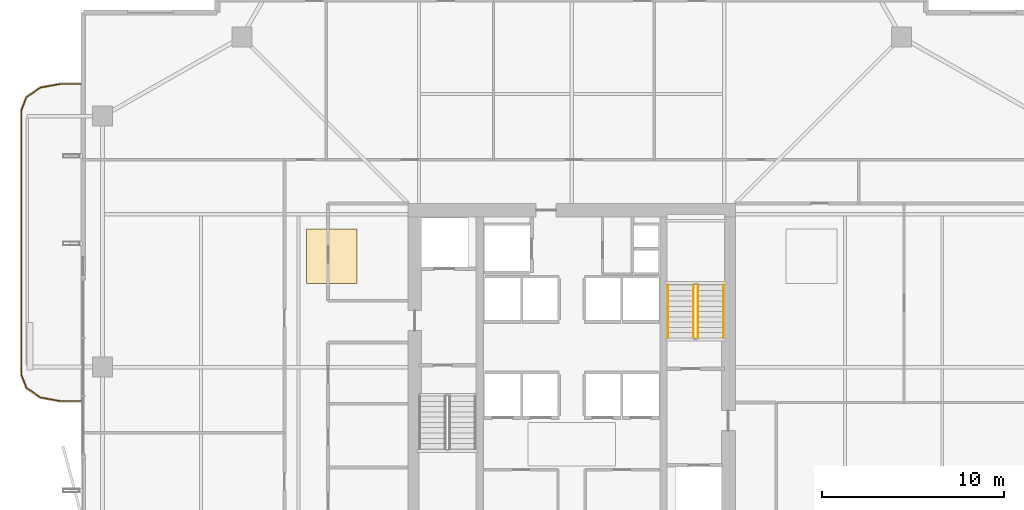
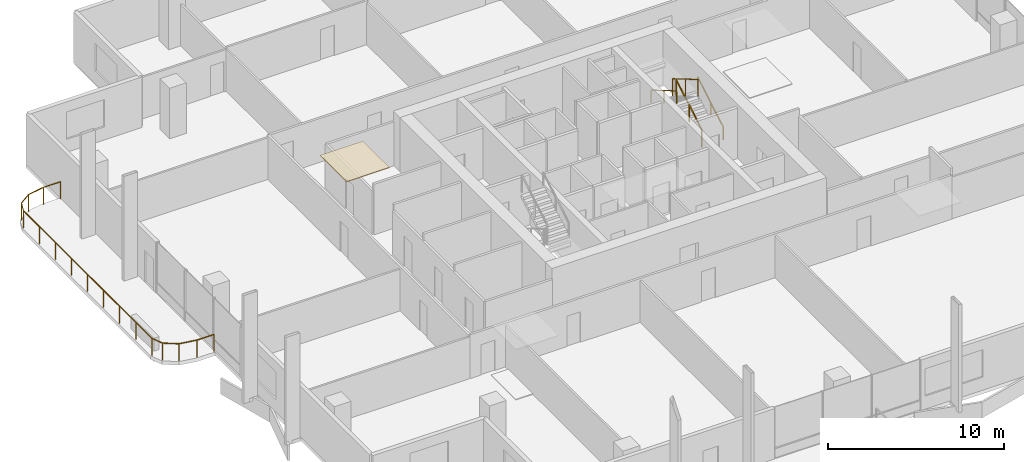
# One storey, part 23 of 24: 5 railings, 1 covering.
"""IFC4 building model written with IfcOpenShell, lengths in metres."""

from ifc_helpers import new_model, si_unit, direction, frame, origin, origin_2d, place, context, subcontext, project, spatial, polyline, rectangle, outline, extrude, material, layer, layer_set, type_object, element, save


model = new_model("IFC4")

# Units and contexts
model_context = context("Model", 3, precision=1e-05, world=origin(), true_north=direction((0.0, 1.0)))
body_context = subcontext(model_context, "Body", "Model", "MODEL_VIEW")
ifc_project = project(units=[si_unit("LENGTHUNIT", "METRE"), si_unit("AREAUNIT", "SQUARE_METRE"), si_unit("VOLUMEUNIT", "CUBIC_METRE"), si_unit("PLANEANGLEUNIT", "RADIAN"), si_unit("MASSUNIT", "GRAM", prefix="KILO")], contexts=[model_context])

# Site, building, storey
site_placement = place(None, origin())
site = spatial("IfcSite", under=ifc_project, at=site_placement, CompositionType="ELEMENT")
building_placement = place(site_placement, origin())
building = spatial("IfcBuilding", under=site, at=building_placement, Name="Belovzor Exchange Tower", CompositionType="ELEMENT")
storey_placement = place(building_placement, frame((0.0, 0.0, 218.699951171875)))
storey = spatial("IfcBuildingStorey", under=building, at=storey_placement, Name="L54", CompositionType="ELEMENT", Elevation=218.699951171875)

# Railings
ifc_material_1 = material(Name="Stainless Steel Grade 304", Category="steel")
railing_type_1 = type_object("IfcRailingType", Name="Brushed Stainless Steel Stair Handrail 900", PredefinedType="HANDRAIL", material=ifc_material_1)
railing_1_placement = place(storey_placement, frame((37.14990234375, 30.39990234375, 0.17041015625)))
element("IfcRailing", 1, at=railing_1_placement, inside=storey, type_object=railing_type_1, Name="L54 ST-2 stair handrail 1", PredefinedType="HANDRAIL", context=body_context, shape_type="SweptSolid", body=[
    extrude(rectangle(XDim=0.048095703125, YDim=0.048095703125, at=origin_2d()), frame((0.0, 0.0, 0.8759765625), z_axis=(0.0, 0.862113265706, 0.506715617574), x_axis=(-1.0, 0.0, 0.0)), (0.0, 0.0, 1.0), 3.364013671875),
    extrude(rectangle(XDim=0.0419921875, YDim=0.0419921875, at=origin_2d()), origin(), (0.0, 0.0, 1.0), 0.851806640625),
    extrude(rectangle(XDim=0.0419921875, YDim=0.0419921875, at=origin_2d()), frame((0.0, 1.4501953125, 0.852294921875)), (0.0, 0.0, 1.0), 0.851806640625),
    extrude(rectangle(XDim=0.0419921875, YDim=0.0419921875, at=origin_2d()), frame((0.0, 2.900146484375, 1.70458984375)), (0.0, 0.0, 1.0), 0.851806640625),
])
railing_2_placement = place(storey_placement, frame((34.10009765625, 33.300048828125, 2.04541015625)))
element("IfcRailing", 2, at=railing_2_placement, inside=storey, type_object=railing_type_1, Name="L54 ST-2 stair handrail 2", PredefinedType="HANDRAIL", context=body_context, shape_type="SweptSolid", body=[
    extrude(rectangle(XDim=0.048095703125, YDim=0.048095703125, at=origin_2d()), frame((0.0, 0.0, 0.8759765625), z_axis=(0.0, -0.862113265706, 0.506715617574), x_axis=(1.0, 0.0, 0.0)), (0.0, 0.0, 1.0), 3.364013671875),
    extrude(rectangle(XDim=0.0419921875, YDim=0.0419921875, at=origin_2d()), origin(), (0.0, 0.0, 1.0), 0.851806640625),
    extrude(rectangle(XDim=0.0419921875, YDim=0.0419921875, at=origin_2d()), frame((0.0, -1.4501953125, 0.852294921875)), (0.0, 0.0, 1.0), 0.851806640625),
    extrude(rectangle(XDim=0.0419921875, YDim=0.0419921875, at=origin_2d()), frame((0.0, -2.900146484375, 1.70458984375)), (0.0, 0.0, 1.0), 0.851806640625),
])
ifc_material_2 = material(Name="Stainless Steel and Laminated Safety Glass", Category="steel")
railing_type_2 = type_object("IfcRailingType", Name="Laminated Glass & Stainless Steel Balcony Balustrade 1200", PredefinedType="BALUSTRADE", material=ifc_material_2)
railing_3_placement = place(storey_placement, frame((1.7900390625, 44.3701171875, 0.0)))
element("IfcRailing", 3, at=railing_3_placement, inside=storey, type_object=railing_type_2, Name="GR-1 Balcony Balustrade L54 West", PredefinedType="BALUSTRADE", context=body_context, shape_type="SweptSolid", body=[
    extrude(rectangle(XDim=0.048095703125, YDim=0.048095703125, at=origin_2d()), frame((0.0, 0.0, 1.17578125), z_axis=(-1.0, 0.0, 0.0), x_axis=(0.0, -1.0, 0.0)), (0.0, 0.0, 1.0), 1.133056640625),
    extrude(rectangle(XDim=0.048095703125, YDim=0.048095703125, at=origin_2d()), frame((-1.133056640625, 0.0, 1.17578125), z_axis=(-0.983644145941, -0.180122719713, 0.0), x_axis=(0.180122719713, -0.983644145941, 0.0)), (0.0, 0.0, 1.0), 1.09375),
    extrude(rectangle(XDim=0.048095703125, YDim=0.048095703125, at=origin_2d()), frame((-2.208984375, -0.197021484375, 1.17578125), z_axis=(-0.826493025367, -0.56294695933, 0.0), x_axis=(0.56294695933, -0.826493025367, 0.0)), (0.0, 0.0, 1.0), 0.932861328125),
    extrude(rectangle(XDim=0.048095703125, YDim=0.048095703125, at=origin_2d()), frame((-2.97998046875, -0.72216796875, 1.17578125), z_axis=(-0.365612923861, -0.930766990125, 0.0), x_axis=(0.930766990125, -0.365612923861, 0.0)), (0.0, 0.0, 1.0), 0.765869140625),
    extrude(rectangle(XDim=0.048095703125, YDim=0.048095703125, at=origin_2d()), frame((-3.260009765625, -1.43505859375, 1.17578125), z_axis=(0.0, -1.0, 0.0), x_axis=(1.0, 0.0, 0.0)), (0.0, 0.0, 1.0), 14.570068359375),
    extrude(rectangle(XDim=0.048095703125, YDim=0.048095703125, at=origin_2d()), frame((-3.260009765625, -16.005126953125, 1.17578125), z_axis=(0.365612923861, -0.930766990125, 0.0), x_axis=(0.930766990125, 0.365612923861, 0.0)), (0.0, 0.0, 1.0), 0.765869140625),
    extrude(rectangle(XDim=0.048095703125, YDim=0.048095703125, at=origin_2d()), frame((-2.97998046875, -16.718017578125, 1.17578125), z_axis=(0.826493025367, -0.56294695933, 0.0), x_axis=(0.56294695933, 0.826493025367, 0.0)), (0.0, 0.0, 1.0), 0.932861328125),
    extrude(rectangle(XDim=0.048095703125, YDim=0.048095703125, at=origin_2d()), frame((-2.208984375, -17.2431640625, 1.17578125), z_axis=(0.983644145941, -0.180122719713, 0.0), x_axis=(0.180122719713, 0.983644145941, 0.0)), (0.0, 0.0, 1.0), 1.09375),
    extrude(rectangle(XDim=0.048095703125, YDim=0.048095703125, at=origin_2d()), frame((-1.133056640625, -17.440185546875, 1.17578125), z_axis=(1.0, 0.0, 0.0), x_axis=(0.0, 1.0, 0.0)), (0.0, 0.0, 1.0), 1.133056640625),
    extrude(rectangle(XDim=0.0419921875, YDim=0.0419921875, at=origin_2d()), origin(), (0.0, 0.0, 1.0), 1.15185546875),
    extrude(rectangle(XDim=0.0419921875, YDim=0.0419921875, at=origin_2d()), frame((-1.133056640625, 0.0, 0.0)), (0.0, 0.0, 1.0), 1.15185546875),
    extrude(rectangle(XDim=0.0419921875, YDim=0.0419921875, at=origin_2d()), frame((-2.208984375, -0.197021484375, 0.0)), (0.0, 0.0, 1.0), 1.15185546875),
    extrude(rectangle(XDim=0.0419921875, YDim=0.0419921875, at=origin_2d()), frame((-2.97998046875, -0.72216796875, 0.0)), (0.0, 0.0, 1.0), 1.15185546875),
    extrude(rectangle(XDim=0.0419921875, YDim=0.0419921875, at=origin_2d()), frame((-3.260009765625, -1.43505859375, 0.0)), (0.0, 0.0, 1.0), 1.15185546875),
    extrude(rectangle(XDim=0.0419921875, YDim=0.0419921875, at=origin_2d()), frame((-3.260009765625, -3.25634765625, 0.0)), (0.0, 0.0, 1.0), 1.15185546875),
    extrude(rectangle(XDim=0.0419921875, YDim=0.0419921875, at=origin_2d()), frame((-3.260009765625, -5.07763671875, 0.0)), (0.0, 0.0, 1.0), 1.15185546875),
    extrude(rectangle(XDim=0.0419921875, YDim=0.0419921875, at=origin_2d()), frame((-3.260009765625, -6.89892578125, 0.0)), (0.0, 0.0, 1.0), 1.15185546875),
    extrude(rectangle(XDim=0.0419921875, YDim=0.0419921875, at=origin_2d()), frame((-3.260009765625, -8.72021484375, 0.0)), (0.0, 0.0, 1.0), 1.15185546875),
    extrude(rectangle(XDim=0.0419921875, YDim=0.0419921875, at=origin_2d()), frame((-3.260009765625, -10.541259765625, 0.0)), (0.0, 0.0, 1.0), 1.15185546875),
    extrude(rectangle(XDim=0.0419921875, YDim=0.0419921875, at=origin_2d()), frame((-3.260009765625, -12.362548828125, 0.0)), (0.0, 0.0, 1.0), 1.15185546875),
    extrude(rectangle(XDim=0.0419921875, YDim=0.0419921875, at=origin_2d()), frame((-3.260009765625, -14.183837890625, 0.0)), (0.0, 0.0, 1.0), 1.15185546875),
    extrude(rectangle(XDim=0.0419921875, YDim=0.0419921875, at=origin_2d()), frame((-3.260009765625, -16.005126953125, 0.0)), (0.0, 0.0, 1.0), 1.15185546875),
    extrude(rectangle(XDim=0.0419921875, YDim=0.0419921875, at=origin_2d()), frame((-2.97998046875, -16.718017578125, 0.0)), (0.0, 0.0, 1.0), 1.15185546875),
    extrude(rectangle(XDim=0.0419921875, YDim=0.0419921875, at=origin_2d()), frame((-2.208984375, -17.2431640625, 0.0)), (0.0, 0.0, 1.0), 1.15185546875),
    extrude(rectangle(XDim=0.0419921875, YDim=0.0419921875, at=origin_2d()), frame((-1.133056640625, -17.440185546875, 0.0)), (0.0, 0.0, 1.0), 1.15185546875),
    extrude(rectangle(XDim=0.0419921875, YDim=0.0419921875, at=origin_2d()), frame((0.0, -17.440185546875, 0.0)), (0.0, 0.0, 1.0), 1.15185546875),
])
ifc_material_3 = material(Name="Steel S355", Category="steel")
railing_type_3 = type_object("IfcRailingType", Name="Painted Steel Stairwell Guardrail 1200", PredefinedType="GUARDRAIL", material=ifc_material_3)
railing_4_placement = place(storey_placement, frame((35.75, 30.39990234375, 0.17041015625)))
element("IfcRailing", 4, at=railing_4_placement, inside=storey, type_object=railing_type_3, Name="L54 ST-2 stair guard 1", PredefinedType="GUARDRAIL", context=body_context, shape_type="SweptSolid", body=[
    extrude(rectangle(XDim=0.048095703125, YDim=0.048095703125, at=origin_2d()), frame((0.0, 0.0, 1.17578125), z_axis=(0.0, 0.862113265706, 0.506715617574), x_axis=(-1.0, 0.0, 0.0)), (0.0, 0.0, 1.0), 3.364013671875),
    extrude(rectangle(XDim=0.0419921875, YDim=0.0419921875, at=origin_2d()), origin(), (0.0, 0.0, 1.0), 1.15185546875),
    extrude(rectangle(XDim=0.0419921875, YDim=0.0419921875, at=origin_2d()), frame((0.0, 1.4501953125, 0.852294921875)), (0.0, 0.0, 1.0), 1.15185546875),
    extrude(rectangle(XDim=0.0419921875, YDim=0.0419921875, at=origin_2d()), frame((0.0, 2.900146484375, 1.70458984375)), (0.0, 0.0, 1.0), 1.15185546875),
])
railing_5_placement = place(storey_placement, frame((35.5, 33.300048828125, 2.04541015625)))
element("IfcRailing", 5, at=railing_5_placement, inside=storey, type_object=railing_type_3, Name="L54 ST-2 stair guard 3", PredefinedType="GUARDRAIL", context=body_context, shape_type="SweptSolid", body=[
    extrude(rectangle(XDim=0.048095703125, YDim=0.048095703125, at=origin_2d()), frame((0.0, 0.0, 1.17578125), z_axis=(0.0, -0.862113265706, 0.506715617574), x_axis=(1.0, 0.0, 0.0)), (0.0, 0.0, 1.0), 3.364013671875),
    extrude(rectangle(XDim=0.0419921875, YDim=0.0419921875, at=origin_2d()), origin(), (0.0, 0.0, 1.0), 1.15185546875),
    extrude(rectangle(XDim=0.0419921875, YDim=0.0419921875, at=origin_2d()), frame((0.0, -1.4501953125, 0.852294921875)), (0.0, 0.0, 1.0), 1.15185546875),
    extrude(rectangle(XDim=0.0419921875, YDim=0.0419921875, at=origin_2d()), frame((0.0, -2.900146484375, 1.70458984375)), (0.0, 0.0, 1.0), 1.15185546875),
])

# Covering
ifc_material_4 = material(Name="Perforated Powder-Coated Aluminium", Category="aluminium")
ifc_layer = layer(ifc_material_4, 0.06005859375)
ifc_layer_set = layer_set([ifc_layer], Name="Perforated Powder-Coated Aluminium")
covering_type = type_object("IfcCoveringType", Name="Perforated Acoustic Metal Tile Suspended Ceiling 60", PredefinedType="CEILING", material=ifc_layer_set)
covering_placement = place(storey_placement, frame((0.0, 0.0, 3.43994140625)))
element("IfcCovering", 6, at=covering_placement, inside=storey, type_object=covering_type, Name="CLG-AC60 Suspended Ceiling CLG-L54-Z3", PredefinedType="CEILING", context=body_context, shape_type="SweptSolid", body=[
    extrude(outline(polyline([(14.199951171875, 33.39990234375), (17.0, 33.39990234375), (17.0, 36.39990234375), (14.199951171875, 36.39990234375), (14.199951171875, 33.39990234375)])), origin(), (0.0, 0.0, 1.0), 0.06005859375),
])

save(model, "model.ifc")
